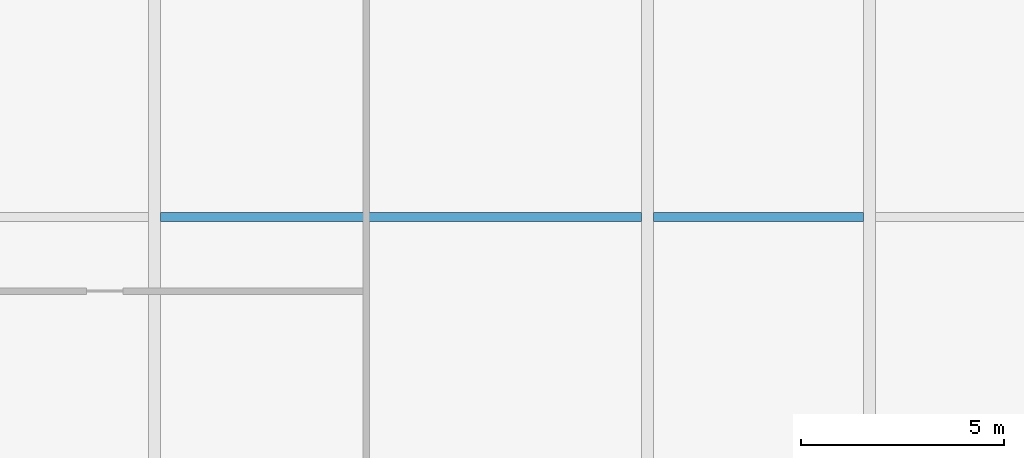
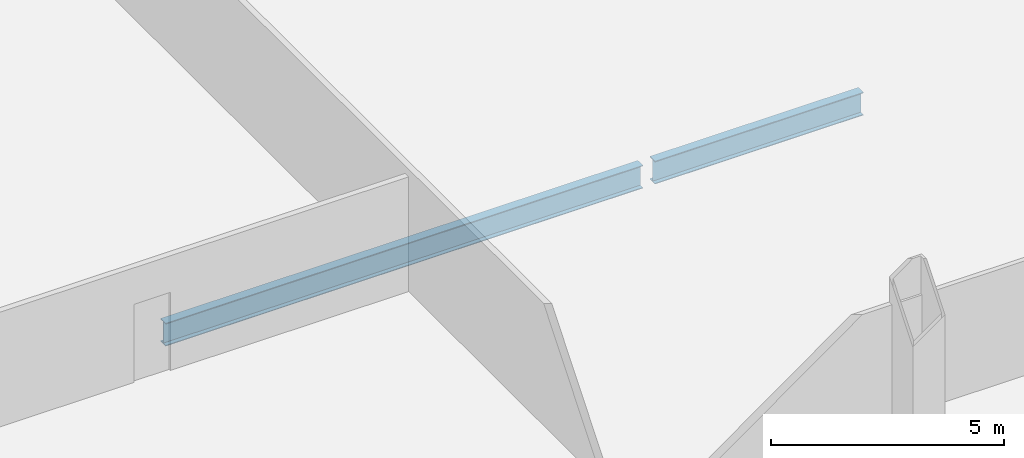
# One storey, part 13 of 37: 2 beams.
"""IFC4 building model written with IfcOpenShell, lengths in metres."""

from ifc_helpers import new_model, si_unit, direction, frame, origin, origin_2d, place, context, subcontext, project, spatial, i_section, extrude, material, material_profile, profile_set, type_object, element, save


model = new_model("IFC4")

# Units and contexts
model_context = context("Model", 3, precision=1e-05, world=origin(), true_north=direction((0.0, 1.0)))
body_context = subcontext(model_context, "Body", "Model", "MODEL_VIEW")
ifc_project = project(units=[si_unit("LENGTHUNIT", "METRE"), si_unit("AREAUNIT", "SQUARE_METRE"), si_unit("VOLUMEUNIT", "CUBIC_METRE"), si_unit("PLANEANGLEUNIT", "RADIAN"), si_unit("MASSUNIT", "GRAM", prefix="KILO")], contexts=[model_context])

# Site, building, storey
site_placement = place(None, origin())
site = spatial("IfcSite", under=ifc_project, at=site_placement, CompositionType="ELEMENT")
building_placement = place(site_placement, origin())
building = spatial("IfcBuilding", under=site, at=building_placement, Name="Khoronbel Lancet Exchange", CompositionType="ELEMENT")
storey_placement = place(building_placement, frame((0.0, 0.0, 45.800048828125)))
storey = spatial("IfcBuildingStorey", under=building, at=storey_placement, Name="L10", CompositionType="ELEMENT", Elevation=45.800048828125)

# Beams
ifc_material = material(Name="Steel S355", Category="steel")
ifc_material_profile = material_profile(ifc_material, i_section(OverallWidth=0.219970703125, OverallDepth=0.60009765625, WebThickness=0.011962890625, FlangeThickness=0.01904296875, at=origin_2d()), Name="IPE 600")
ifc_profile_set = profile_set([ifc_material_profile], Name="Steel S355")
beam_type = type_object("IfcBeamType", Name="BM-BJ1", PredefinedType="JOIST", material=ifc_profile_set)
beam_1_placement = place(storey_placement, frame((30.52490234375, 21.800048828125, -0.47998046875), z_axis=(1.0, 0.0, 0.0), x_axis=(0.0, 1.0, 0.0)))
element("IfcBeam", 1, at=beam_1_placement, inside=storey, type_object=beam_type, Name="Level L10 secondary composite joist J08", PredefinedType="JOIST", context=body_context, shape_type="SweptSolid", body=[
    extrude(i_section(OverallWidth=0.219970703125, OverallDepth=0.60009765625, WebThickness=0.011962890625, FlangeThickness=0.01904296875, at=origin_2d()), origin(), (0.0, 0.0, 1.0), 11.85009765625),
])
beam_2_placement = place(storey_placement, frame((42.675048828125, 21.800048828125, -0.47998046875), z_axis=(1.0, 0.0, 0.0), x_axis=(0.0, 1.0, 0.0)))
element("IfcBeam", 2, at=beam_2_placement, inside=storey, type_object=beam_type, Name="Level L10 secondary composite joist J09", PredefinedType="JOIST", context=body_context, shape_type="SweptSolid", body=[
    extrude(i_section(OverallWidth=0.219970703125, OverallDepth=0.60009765625, WebThickness=0.011962890625, FlangeThickness=0.01904296875, at=origin_2d()), origin(), (0.0, 0.0, 1.0), 5.175048828125),
])

save(model, "model.ifc")
